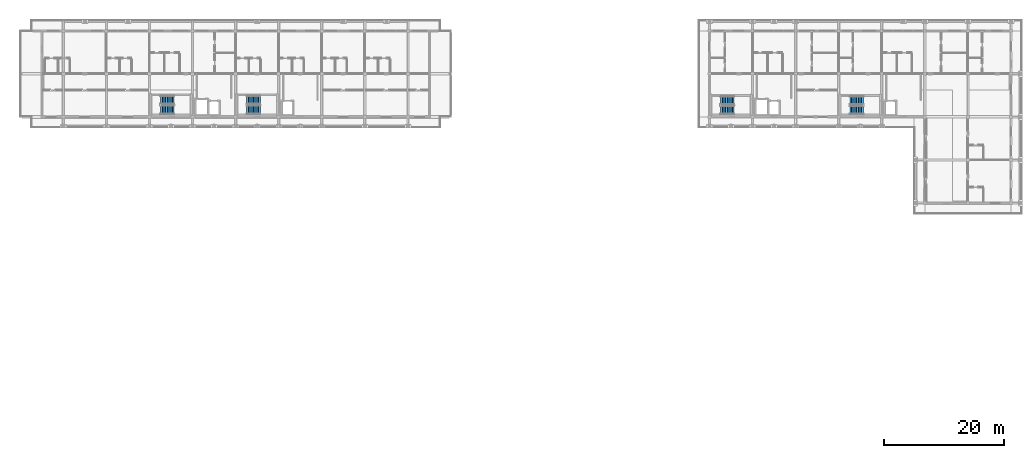
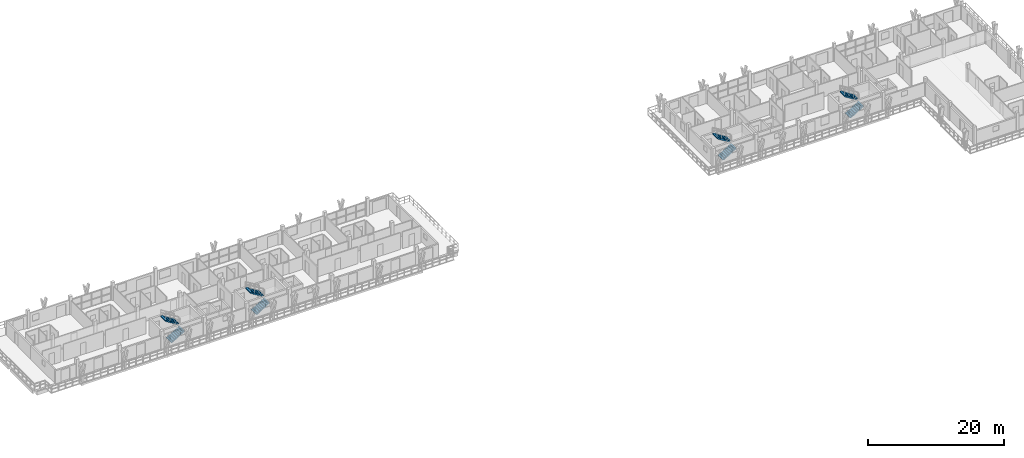
# One storey, part 36 of 45: 8 stair flights, 4 elements without a shape of their own.
"""IFC4 building model written with IfcOpenShell, lengths in metres."""

from ifc_helpers import new_model, si_unit, direction, frame, origin, place, context, subcontext, project, spatial, polyline, outline, extrude, material, type_object, element, aggregate, save


model = new_model("IFC4")

# Units and contexts
model_context = context("Model", 3, precision=1e-05, world=origin(), true_north=direction((0.0, 1.0)))
body_context = subcontext(model_context, "Body", "Model", "MODEL_VIEW")
ifc_project = project(units=[si_unit("LENGTHUNIT", "METRE"), si_unit("AREAUNIT", "SQUARE_METRE"), si_unit("VOLUMEUNIT", "CUBIC_METRE"), si_unit("PLANEANGLEUNIT", "RADIAN"), si_unit("MASSUNIT", "GRAM", prefix="KILO")], contexts=[model_context])

# Site, building, storey
site_placement = place(None, origin())
site = spatial("IfcSite", under=ifc_project, at=site_placement, CompositionType="ELEMENT")
building_placement = place(site_placement, origin())
building = spatial("IfcBuilding", under=site, at=building_placement, Name="Suanplinth Sawtooth Commons", CompositionType="ELEMENT")
storey_placement = place(building_placement, frame((0.0, 0.0, 38.0)))
storey = spatial("IfcBuildingStorey", under=building, at=storey_placement, Name="L11", CompositionType="ELEMENT", Elevation=38.0)

# Stair, stair flights
ifc_material = material(Name="Concrete C40/50", Category="concrete")
stair_type_1 = type_object("IfcStairType", Name="ST-03", PredefinedType="USERDEFINED", material=ifc_material)
stair_1_placement = place(storey_placement, origin())
stair_1 = element("IfcStair", 1, at=stair_1_placement, inside=storey, type_object=stair_type_1, Name="L11 Exit Stair ST-N1", ObjectType="TWO_RETURN_STAIR", PredefinedType="USERDEFINED")
stair_flight_type_1 = type_object("IfcStairFlightType", Name="SF-04", PredefinedType="STRAIGHT", material=ifc_material)
stair_flight_1_placement = place(storey_placement, frame((45.050048828125, 109.175048828125, 0.0), z_axis=(0.0, 0.0, 1.0), x_axis=(1.0, 0.0, 0.0)))
stair_flight_1 = element("IfcStairFlight", 2, at=stair_flight_1_placement, type_object=stair_flight_type_1, Name="ST-03 flight 1", NumberOfRisers=9, NumberOfTreads=8, PredefinedType="STRAIGHT", RiserHeight=0.177777778, TreadLength=0.285, context=body_context, shape_type="SweptSolid", body=[
    extrude(outline(polyline([(0.0, 0.0), (0.0, 0.177734375), (0.284912109375, 0.177734375), (0.284912109375, 0.35546875), (0.570068359375, 0.35546875), (0.570068359375, 0.533447265625), (0.85498046875, 0.533447265625), (0.85498046875, 0.711181640625), (1.139892578125, 0.711181640625), (1.139892578125, 0.888916015625), (1.425048828125, 0.888916015625), (1.425048828125, 1.066650390625), (1.7099609375, 1.066650390625), (1.7099609375, 1.244384765625), (1.9951171875, 1.244384765625), (1.9951171875, 1.422119140625), (2.280029296875, 1.422119140625), (2.280029296875, 1.60009765625), (2.280029296875, 1.233642578125), (0.30224609375, 0.0), (0.0, 0.0)])), frame((0.0, 0.72509765625, 0.0), z_axis=(0.0, -1.0, 0.0), x_axis=(1.0, 0.0, 0.0)), (0.0, 0.0, 1.0), 1.449951171875),
])
stair_flight_2_placement = place(storey_placement, frame((47.330078125, 110.824951171875, 1.60009765625), z_axis=(0.0, 0.0, 1.0), x_axis=(-1.0, 0.0, 0.0)))
stair_flight_2 = element("IfcStairFlight", 3, at=stair_flight_2_placement, type_object=stair_flight_type_1, Name="ST-03 flight 2", NumberOfRisers=9, NumberOfTreads=8, PredefinedType="STRAIGHT", RiserHeight=0.177777778, TreadLength=0.285, context=body_context, shape_type="SweptSolid", body=[
    extrude(outline(polyline([(0.0, 0.0), (0.0, 0.177734375), (0.284912109375, 0.177734375), (0.284912109375, 0.35546875), (0.570068359375, 0.35546875), (0.570068359375, 0.533447265625), (0.85498046875, 0.533447265625), (0.85498046875, 0.711181640625), (1.139892578125, 0.711181640625), (1.139892578125, 0.888916015625), (1.425048828125, 0.888916015625), (1.425048828125, 1.066650390625), (1.7099609375, 1.066650390625), (1.7099609375, 1.244384765625), (1.9951171875, 1.244384765625), (1.9951171875, 1.422119140625), (2.280029296875, 1.422119140625), (2.280029296875, 1.60009765625), (2.280029296875, 1.233642578125), (0.30224609375, 0.0), (0.0, 0.0)])), frame((0.0, 0.72509765625, 0.0), z_axis=(0.0, -1.0, 0.0), x_axis=(1.0, 0.0, 0.0)), (0.0, 0.0, 1.0), 1.449951171875),
])
aggregate(stair_1, [stair_flight_1, stair_flight_2])

stair_2_placement = place(storey_placement, origin())
stair_2 = element("IfcStair", 4, at=stair_2_placement, inside=storey, type_object=stair_type_1, Name="L11 Exit Stair ST-N2", ObjectType="TWO_RETURN_STAIR", PredefinedType="USERDEFINED")
stair_flight_3_placement = place(storey_placement, frame((59.449951171875, 109.175048828125, 0.0), z_axis=(0.0, 0.0, 1.0), x_axis=(1.0, 0.0, 0.0)))
stair_flight_3 = element("IfcStairFlight", 5, at=stair_flight_3_placement, type_object=stair_flight_type_1, Name="ST-03 flight 1", NumberOfRisers=9, NumberOfTreads=8, PredefinedType="STRAIGHT", RiserHeight=0.177777778, TreadLength=0.285, context=body_context, shape_type="SweptSolid", body=[
    extrude(outline(polyline([(0.0, 0.0), (0.0, 0.177734375), (0.284912109375, 0.177734375), (0.284912109375, 0.35546875), (0.570068359375, 0.35546875), (0.570068359375, 0.533447265625), (0.85498046875, 0.533447265625), (0.85498046875, 0.711181640625), (1.139892578125, 0.711181640625), (1.139892578125, 0.888916015625), (1.425048828125, 0.888916015625), (1.425048828125, 1.066650390625), (1.7099609375, 1.066650390625), (1.7099609375, 1.244384765625), (1.9951171875, 1.244384765625), (1.9951171875, 1.422119140625), (2.280029296875, 1.422119140625), (2.280029296875, 1.60009765625), (2.280029296875, 1.233642578125), (0.30224609375, 0.0), (0.0, 0.0)])), frame((0.0, 0.72509765625, 0.0), z_axis=(0.0, -1.0, 0.0), x_axis=(1.0, 0.0, 0.0)), (0.0, 0.0, 1.0), 1.449951171875),
])
stair_flight_4_placement = place(storey_placement, frame((61.72998046875, 110.824951171875, 1.60009765625), z_axis=(0.0, 0.0, 1.0), x_axis=(-1.0, 0.0, 0.0)))
stair_flight_4 = element("IfcStairFlight", 6, at=stair_flight_4_placement, type_object=stair_flight_type_1, Name="ST-03 flight 2", NumberOfRisers=9, NumberOfTreads=8, PredefinedType="STRAIGHT", RiserHeight=0.177777778, TreadLength=0.285, context=body_context, shape_type="SweptSolid", body=[
    extrude(outline(polyline([(0.0, 0.0), (0.0, 0.177734375), (0.284912109375, 0.177734375), (0.284912109375, 0.35546875), (0.570068359375, 0.35546875), (0.570068359375, 0.533447265625), (0.85498046875, 0.533447265625), (0.85498046875, 0.711181640625), (1.139892578125, 0.711181640625), (1.139892578125, 0.888916015625), (1.425048828125, 0.888916015625), (1.425048828125, 1.066650390625), (1.7099609375, 1.066650390625), (1.7099609375, 1.244384765625), (1.9951171875, 1.244384765625), (1.9951171875, 1.422119140625), (2.280029296875, 1.422119140625), (2.280029296875, 1.60009765625), (2.280029296875, 1.233642578125), (0.30224609375, 0.0), (0.0, 0.0)])), frame((0.0, 0.72509765625, 0.0), z_axis=(0.0, -1.0, 0.0), x_axis=(1.0, 0.0, 0.0)), (0.0, 0.0, 1.0), 1.449951171875),
])
aggregate(stair_2, [stair_flight_3, stair_flight_4])

stair_type_2 = type_object("IfcStairType", Name="ST-07", PredefinedType="USERDEFINED", material=ifc_material)
stair_3_placement = place(storey_placement, origin())
stair_3 = element("IfcStair", 7, at=stair_3_placement, inside=storey, type_object=stair_type_2, Name="L11 Exit Stair ST-E1", ObjectType="TWO_RETURN_STAIR", PredefinedType="USERDEFINED")
stair_flight_type_2 = type_object("IfcStairFlightType", Name="SF-08", PredefinedType="STRAIGHT", material=ifc_material)
stair_flight_5_placement = place(storey_placement, frame((138.64990234375, 109.14990234375, 0.0), z_axis=(0.0, 0.0, 1.0), x_axis=(1.0, 0.0, 0.0)))
stair_flight_5 = element("IfcStairFlight", 8, at=stair_flight_5_placement, type_object=stair_flight_type_2, Name="ST-07 flight 1", NumberOfRisers=9, NumberOfTreads=8, PredefinedType="STRAIGHT", RiserHeight=0.177777778, TreadLength=0.285, context=body_context, shape_type="SweptSolid", body=[
    extrude(outline(polyline([(0.0, 0.0), (0.0, 0.177734375), (0.284912109375, 0.177734375), (0.284912109375, 0.35546875), (0.570068359375, 0.35546875), (0.570068359375, 0.533447265625), (0.85498046875, 0.533447265625), (0.85498046875, 0.711181640625), (1.139892578125, 0.711181640625), (1.139892578125, 0.888916015625), (1.425048828125, 0.888916015625), (1.425048828125, 1.066650390625), (1.7099609375, 1.066650390625), (1.7099609375, 1.244384765625), (1.9951171875, 1.244384765625), (1.9951171875, 1.422119140625), (2.280029296875, 1.422119140625), (2.280029296875, 1.60009765625), (2.280029296875, 1.233642578125), (0.30224609375, 0.0), (0.0, 0.0)])), frame((0.0, 0.699951171875, 0.0), z_axis=(0.0, -1.0, 0.0), x_axis=(1.0, 0.0, 0.0)), (0.0, 0.0, 1.0), 1.39990234375),
])
stair_flight_6_placement = place(storey_placement, frame((140.929931640625, 110.75, 1.60009765625), z_axis=(0.0, 0.0, 1.0), x_axis=(-1.0, 0.0, 0.0)))
stair_flight_6 = element("IfcStairFlight", 9, at=stair_flight_6_placement, type_object=stair_flight_type_2, Name="ST-07 flight 2", NumberOfRisers=9, NumberOfTreads=8, PredefinedType="STRAIGHT", RiserHeight=0.177777778, TreadLength=0.285, context=body_context, shape_type="SweptSolid", body=[
    extrude(outline(polyline([(0.0, 0.0), (0.0, 0.177734375), (0.284912109375, 0.177734375), (0.284912109375, 0.35546875), (0.570068359375, 0.35546875), (0.570068359375, 0.533447265625), (0.85498046875, 0.533447265625), (0.85498046875, 0.711181640625), (1.139892578125, 0.711181640625), (1.139892578125, 0.888916015625), (1.425048828125, 0.888916015625), (1.425048828125, 1.066650390625), (1.7099609375, 1.066650390625), (1.7099609375, 1.244384765625), (1.9951171875, 1.244384765625), (1.9951171875, 1.422119140625), (2.280029296875, 1.422119140625), (2.280029296875, 1.60009765625), (2.280029296875, 1.233642578125), (0.30224609375, 0.0), (0.0, 0.0)])), frame((0.0, 0.699951171875, 0.0), z_axis=(0.0, -1.0, 0.0), x_axis=(1.0, 0.0, 0.0)), (0.0, 0.0, 1.0), 1.39990234375),
])
aggregate(stair_3, [stair_flight_5, stair_flight_6])

stair_4_placement = place(storey_placement, origin())
stair_4 = element("IfcStair", 10, at=stair_4_placement, inside=storey, type_object=stair_type_2, Name="L11 Exit Stair ST-E2", ObjectType="TWO_RETURN_STAIR", PredefinedType="USERDEFINED")
stair_flight_7_placement = place(storey_placement, frame((160.25, 109.14990234375, 0.0), z_axis=(0.0, 0.0, 1.0), x_axis=(1.0, 0.0, 0.0)))
stair_flight_7 = element("IfcStairFlight", 11, at=stair_flight_7_placement, type_object=stair_flight_type_2, Name="ST-07 flight 1", NumberOfRisers=9, NumberOfTreads=8, PredefinedType="STRAIGHT", RiserHeight=0.177777778, TreadLength=0.285, context=body_context, shape_type="SweptSolid", body=[
    extrude(outline(polyline([(0.0, 0.0), (0.0, 0.177734375), (0.284912109375, 0.177734375), (0.284912109375, 0.35546875), (0.570068359375, 0.35546875), (0.570068359375, 0.533447265625), (0.85498046875, 0.533447265625), (0.85498046875, 0.711181640625), (1.139892578125, 0.711181640625), (1.139892578125, 0.888916015625), (1.425048828125, 0.888916015625), (1.425048828125, 1.066650390625), (1.7099609375, 1.066650390625), (1.7099609375, 1.244384765625), (1.9951171875, 1.244384765625), (1.9951171875, 1.422119140625), (2.280029296875, 1.422119140625), (2.280029296875, 1.60009765625), (2.280029296875, 1.233642578125), (0.30224609375, 0.0), (0.0, 0.0)])), frame((0.0, 0.699951171875, 0.0), z_axis=(0.0, -1.0, 0.0), x_axis=(1.0, 0.0, 0.0)), (0.0, 0.0, 1.0), 1.39990234375),
])
stair_flight_8_placement = place(storey_placement, frame((162.530029296875, 110.75, 1.60009765625), z_axis=(0.0, 0.0, 1.0), x_axis=(-1.0, 0.0, 0.0)))
stair_flight_8 = element("IfcStairFlight", 12, at=stair_flight_8_placement, type_object=stair_flight_type_2, Name="ST-07 flight 2", NumberOfRisers=9, NumberOfTreads=8, PredefinedType="STRAIGHT", RiserHeight=0.177777778, TreadLength=0.285, context=body_context, shape_type="SweptSolid", body=[
    extrude(outline(polyline([(0.0, 0.0), (0.0, 0.177734375), (0.284912109375, 0.177734375), (0.284912109375, 0.35546875), (0.570068359375, 0.35546875), (0.570068359375, 0.533447265625), (0.85498046875, 0.533447265625), (0.85498046875, 0.711181640625), (1.139892578125, 0.711181640625), (1.139892578125, 0.888916015625), (1.425048828125, 0.888916015625), (1.425048828125, 1.066650390625), (1.7099609375, 1.066650390625), (1.7099609375, 1.244384765625), (1.9951171875, 1.244384765625), (1.9951171875, 1.422119140625), (2.280029296875, 1.422119140625), (2.280029296875, 1.60009765625), (2.280029296875, 1.233642578125), (0.30224609375, 0.0), (0.0, 0.0)])), frame((0.0, 0.699951171875, 0.0), z_axis=(0.0, -1.0, 0.0), x_axis=(1.0, 0.0, 0.0)), (0.0, 0.0, 1.0), 1.39990234375),
])
aggregate(stair_4, [stair_flight_7, stair_flight_8])

save(model, "model.ifc")
